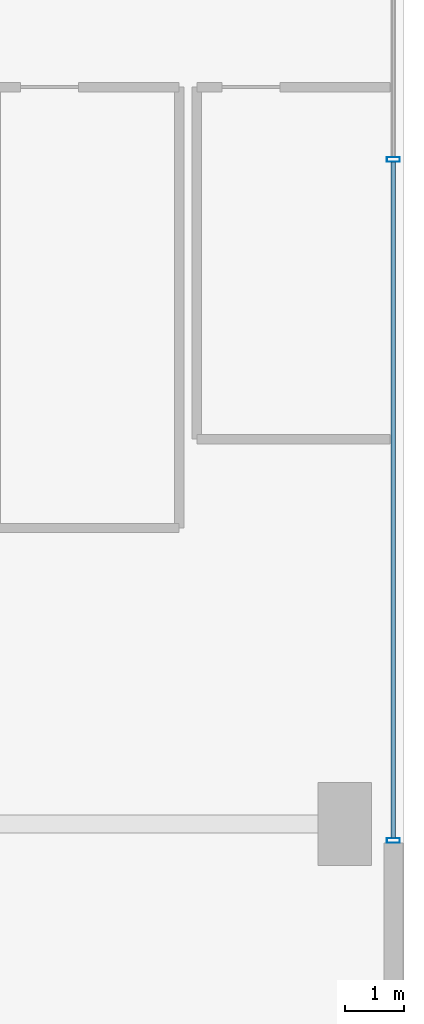
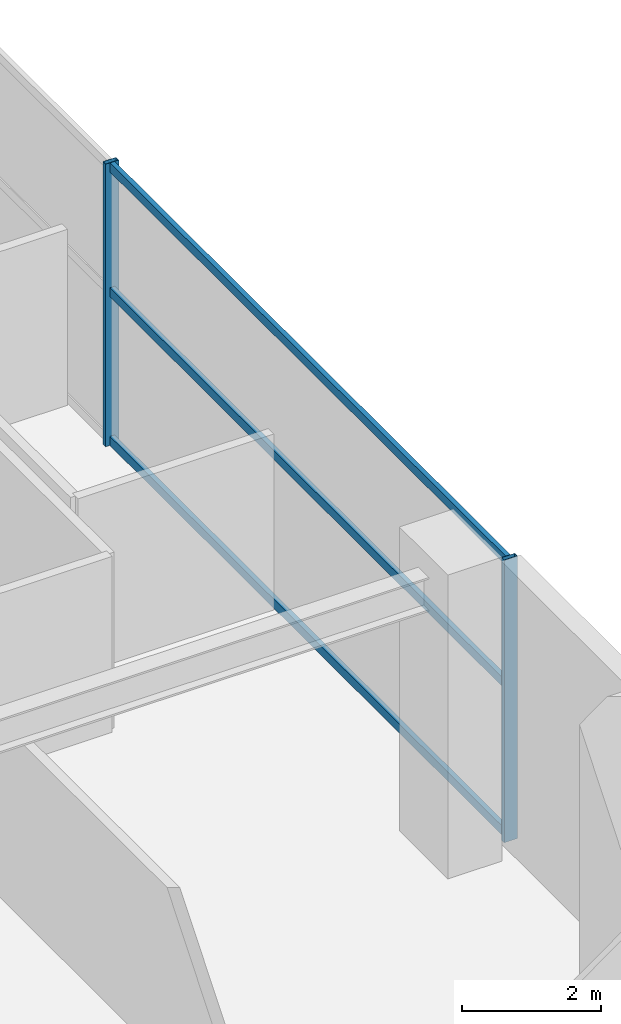
# One storey, part 23 of 35: 5 members, 1 element without a shape of its own.
"""IFC4 building model written with IfcOpenShell, lengths in metres."""

import ifcopenshell
import ifcopenshell.guid

model = None  # the IFC model being written
_history = None  # IfcOwnerHistory: only IFC2X3 demands one
_inside = {}  # id of a spatial element -> (the spatial element, [elements in it])
_under = {}  # id of a project, library or spatial element -> (it, [spatial elements below it])
_declared = {}  # id of a project -> (the project, [libraries it declares])
_typed = {}  # id of a type object -> (the type object, [elements of that type])
_made_of = {}  # id of a material, layer set ... -> (it, [elements and type objects made of it])


def new_model(schema):
    """Start an empty IFC model of exactly this schema.

    Asked for "IFC4X3", IfcOpenShell would pick the latest addendum, in which some entities
    have other attributes; the version numbers below select the first issue.
    IFC2X3 requires an IfcOwnerHistory on every rooted entity: one is made here for all.
    """
    global model, _history
    if schema == "IFC4X3":
        model = ifcopenshell.file(schema_version=(4, 3, 0, 0))
    else:
        model = ifcopenshell.file(schema=schema)
    _inside.clear()
    _under.clear()
    _declared.clear()
    _typed.clear()
    _made_of.clear()
    _history = None
    if model.schema == "IFC2X3":
        org = make("IfcOrganization", Name="unknown")
        user = make(
            "IfcPersonAndOrganization",
            ThePerson=make("IfcPerson", FamilyName="unknown"),
            TheOrganization=org,
        )
        app = make(
            "IfcApplication",
            ApplicationDeveloper=org,
            Version="unknown",
            ApplicationFullName="unknown",
            ApplicationIdentifier="unknown",
        )
        _history = make(
            "IfcOwnerHistory",
            OwningUser=user,
            OwningApplication=app,
            ChangeAction="ADDED",
            CreationDate=0,
        )
    return model


def make(cls, **values):
    """One entity of the class cls with the attributes given. An attribute that is None is left unset."""
    return model.create_entity(
        cls, **{name: value for name, value in values.items() if value is not None}
    )


def rooted(cls, **values):
    """An entity with a GlobalId (a new one), such as an element, a storey or a relation."""
    return make(cls, GlobalId=ifcopenshell.guid.new(), OwnerHistory=_history, **values)


def si_unit(unit_type, name, prefix=None):
    """IfcSIUnit, for example si_unit("LENGTHUNIT", "METRE", prefix="MILLI")."""
    return make("IfcSIUnit", UnitType=unit_type, Prefix=prefix, Name=name)


def assignment(units):
    """IfcUnitAssignment: the units of a project."""
    return None if units is None else make("IfcUnitAssignment", Units=units)


def point(xyz):
    """IfcCartesianPoint."""
    return None if xyz is None else make("IfcCartesianPoint", Coordinates=xyz)


def direction(xyz):
    """IfcDirection."""
    return None if xyz is None else make("IfcDirection", DirectionRatios=xyz)


def frame(location, z_axis=None, x_axis=None):
    """IfcAxis2Placement3D, a coordinate frame: its origin and axes. An axis left out is left unset."""
    return make(
        "IfcAxis2Placement3D",
        Location=point(location),
        Axis=direction(z_axis),
        RefDirection=direction(x_axis),
    )


def frame_2d(location, x_axis=None):
    """IfcAxis2Placement2D, a coordinate frame in the plane: its origin and x axis."""
    return make(
        "IfcAxis2Placement2D", Location=point(location), RefDirection=direction(x_axis)
    )


def origin():
    """The frame at (0, 0, 0) with its axes left unset."""
    return frame((0.0, 0.0, 0.0))


def origin_2d():
    """The frame at (0, 0) in the plane with its x axis left unset."""
    return frame_2d((0.0, 0.0))


def place(relative_to, where):
    """IfcLocalPlacement: puts the frame where relative to a parent placement (None: the world)."""
    return make(
        "IfcLocalPlacement", PlacementRelTo=relative_to, RelativePlacement=where
    )


def context(
    kind, dimensions, precision=None, world=None, true_north=None, identifier=None
):
    """IfcGeometricRepresentationContext, for example the 3D "Model" context."""
    return make(
        "IfcGeometricRepresentationContext",
        ContextIdentifier=identifier,
        ContextType=kind,
        CoordinateSpaceDimension=dimensions,
        Precision=precision,
        WorldCoordinateSystem=world,
        TrueNorth=true_north,
    )


def subcontext(parent, identifier, kind, view, scale=None):
    """IfcGeometricRepresentationSubContext, for example "Body" below "Model"."""
    return make(
        "IfcGeometricRepresentationSubContext",
        ContextIdentifier=identifier,
        ContextType=kind,
        ParentContext=parent,
        TargetScale=scale,
        TargetView=view,
    )


def project(units=None, contexts=None):
    """IfcProject with its units and contexts."""
    return rooted(
        "IfcProject",
        Name="project",
        RepresentationContexts=contexts,
        UnitsInContext=assignment(units),
    )


def spatial(cls, under=None, at=None, **own):
    """A site, building, storey or space (cls), placed at a placement, below another one or the project."""
    s = rooted(cls, ObjectPlacement=at, **own)
    if under is not None:
        _under.setdefault(under.id(), (under, []))[1].append(s)
    return s


def profile(cls, at=None, kind="AREA", **sizes):
    """A parametric profile (cls). Its sizes go by their IFC names, for example OverallWidth=200.0."""
    return make(cls, ProfileType=kind, Position=at, **sizes)


def hollow_rectangle(**sizes):
    """IfcRectangleHollowProfileDef."""
    return profile("IfcRectangleHollowProfileDef", **sizes)


def extrude(swept, where, along, depth):
    """IfcExtrudedAreaSolid: the profile swept, set in the frame where, extruded along a direction by depth."""
    return make(
        "IfcExtrudedAreaSolid",
        SweptArea=swept,
        Position=where,
        ExtrudedDirection=direction(along),
        Depth=depth,
    )


def shape(context_of_items, identifier, shape_type, items):
    """IfcShapeRepresentation: the items that make up one representation, for example the "Body"."""
    return make(
        "IfcShapeRepresentation",
        ContextOfItems=context_of_items,
        RepresentationIdentifier=identifier,
        RepresentationType=shape_type,
        Items=items,
    )


def source(mapping_origin, context_of_items, identifier, shape_type, items):
    """IfcRepresentationMap: a shape defined once, which mapped items show again and again."""
    return make(
        "IfcRepresentationMap",
        MappingOrigin=mapping_origin,
        MappedRepresentation=shape(context_of_items, identifier, shape_type, items),
    )


def transform(
    local_origin,
    x_axis=None,
    y_axis=None,
    z_axis=None,
    scale=None,
    scale2=None,
    scale3=None,
    uniform=True,
):
    """IfcCartesianTransformationOperator3D, or its non-uniform kind. x_axis, y_axis, z_axis: its Axis1, 2, 3."""
    if uniform:
        return make(
            "IfcCartesianTransformationOperator3D",
            Axis1=direction(x_axis),
            Axis2=direction(y_axis),
            LocalOrigin=point(local_origin),
            Scale=scale,
            Axis3=direction(z_axis),
        )
    return make(
        "IfcCartesianTransformationOperator3DnonUniform",
        Axis1=direction(x_axis),
        Axis2=direction(y_axis),
        LocalOrigin=point(local_origin),
        Scale=scale,
        Axis3=direction(z_axis),
        Scale2=scale2,
        Scale3=scale3,
    )


def mapped(mapping_source, mapping_target):
    """IfcMappedItem: shows the shape of a source again, moved by a transform."""
    return make(
        "IfcMappedItem", MappingSource=mapping_source, MappingTarget=mapping_target
    )


def material(Name=None, Category=None):
    """IfcMaterial."""
    return make("IfcMaterial", Name=Name, Category=Category)


def material_profile(
    of_material, cross_section, Name=None, Category=None, Priority=None
):
    """IfcMaterialProfile: a cross section and its material."""
    return make(
        "IfcMaterialProfile",
        Name=Name,
        Material=of_material,
        Profile=cross_section,
        Priority=Priority,
        Category=Category,
    )


def profile_set(profiles, Name=None, composite=None):
    """IfcMaterialProfileSet."""
    return make(
        "IfcMaterialProfileSet",
        Name=Name,
        MaterialProfiles=profiles,
        CompositeProfile=composite,
    )


def made_of(thing, what):
    """Note that an element or type object is made of a material, layer set ...; save() writes the relation."""
    if what is not None:
        _made_of.setdefault(what.id(), (what, []))[1].append(thing)
    return thing


def type_object(cls, material=None, **own):
    """A type object (cls), such as IfcWallType, which elements share."""
    return made_of(rooted(cls, **own), material)


def element(
    cls,
    number,
    at=None,
    inside=None,
    cuts=None,
    type_object=None,
    material=None,
    context=None,
    identifier="Body",
    shape_type=None,
    held_by="IfcProductDefinitionShape",
    body=None,
    shapes=None,
    **own,
):
    """One element of the class cls, such as IfcWall. Its Tag is "e" and its number.

    at: its placement. inside: the storey or other place that contains it. cuts: it is an
    opening in that element (IfcRelVoidsElement). A single representation is given by context,
    identifier, shape_type and body (its items); several are given by shapes. held_by: the class
    of the entity that holds the representations. save() writes the other relations.
    """
    e = rooted(cls, Tag="e%d" % number, ObjectPlacement=at, **own)
    if body is not None:
        shapes = [shape(context, identifier, shape_type, body)]
    if shapes is not None:
        e.Representation = make(held_by, Representations=shapes)
    if inside is not None:
        _inside.setdefault(inside.id(), (inside, []))[1].append(e)
    if cuts is not None:
        rooted(
            "IfcRelVoidsElement", RelatingBuildingElement=cuts, RelatedOpeningElement=e
        )
    if type_object is not None:
        _typed.setdefault(type_object.id(), (type_object, []))[1].append(e)
    return made_of(e, material)


def aggregate(whole, parts):
    """IfcRelAggregates: a whole, such as a stair, and the parts it consists of."""
    return rooted("IfcRelAggregates", RelatingObject=whole, RelatedObjects=parts)


def save(model, path):
    """Write the relations noted so far, then the file.

    IfcRelAggregates (storeys below a building ...), IfcRelContainedInSpatialStructure (elements
    in a storey), IfcRelDefinesByType, IfcRelAssociatesMaterial and IfcRelDeclares: one each for
    every whole, place, type object, material and project.
    """
    for whole, parts in _under.values():
        aggregate(whole, parts)
    for where, things in _inside.values():
        rooted(
            "IfcRelContainedInSpatialStructure",
            RelatedElements=things,
            RelatingStructure=where,
        )
    for kind, things in _typed.values():
        rooted("IfcRelDefinesByType", RelatedObjects=things, RelatingType=kind)
    for what, things in _made_of.values():
        rooted("IfcRelAssociatesMaterial", RelatedObjects=things, RelatingMaterial=what)
    for by, libraries in _declared.values():
        rooted("IfcRelDeclares", RelatingContext=by, RelatedDefinitions=libraries)
    model.write(path)


model = new_model("IFC4")

# Units and contexts
model_context = context("Model", 3, precision=1e-05, world=origin(), true_north=direction((0.0, 1.0)))
body_context = subcontext(model_context, "Body", "Model", "MODEL_VIEW")
ifc_project = project(units=[si_unit("LENGTHUNIT", "METRE"), si_unit("AREAUNIT", "SQUARE_METRE"), si_unit("VOLUMEUNIT", "CUBIC_METRE"), si_unit("PLANEANGLEUNIT", "RADIAN"), si_unit("MASSUNIT", "GRAM", prefix="KILO")], contexts=[model_context])

# Site, building, storey
site_placement = place(None, origin())
site = spatial("IfcSite", under=ifc_project, at=site_placement, CompositionType="ELEMENT")
building_placement = place(site_placement, origin())
building = spatial("IfcBuilding", under=site, at=building_placement, Name="Nahalor Promenade Grand Hotel", CompositionType="ELEMENT")
storey_placement = place(building_placement, frame((0.0, 0.0, 21.60009765625)))
storey = spatial("IfcBuildingStorey", under=building, at=storey_placement, Name="L04", CompositionType="ELEMENT", Elevation=21.60009765625)

# Curtain wall, members
ifc_material = material(Name="Anodised Bronze Aluminium EN AW-6063 T6", Category="aluminium")
curtain_wall_type = type_object("IfcCurtainWallType", Name="CW1 Waterfront Podium Bronze Arcade Curtain Wall", PredefinedType="USERDEFINED", material=ifc_material)
curtain_wall_placement = place(storey_placement, origin())
curtain_wall = element("IfcCurtainWall", 1, at=curtain_wall_placement, inside=storey, type_object=curtain_wall_type, Name="L04 Curtain Wall CW-L04-E", ObjectType="UNITISED_CURTAIN_WALL", PredefinedType="USERDEFINED")
ifc_material_profile_1 = material_profile(ifc_material, hollow_rectangle(XDim=0.08, YDim=0.22, WallThickness=0.005, at=origin_2d()), Name="CWM 80x220x5")
ifc_profile_set_1 = profile_set([ifc_material_profile_1], Name="Anodised Bronze Aluminium EN AW-6063 T6")
member_type_1 = type_object("IfcMemberType", Name="CWM1 Podium Bronze Mullion 80x220", PredefinedType="MULLION", material=ifc_profile_set_1)
shared_shape_1 = source(origin(), body_context, "Body", "SweptSolid", [
    extrude(hollow_rectangle(XDim=0.08, YDim=0.22, WallThickness=0.005, at=origin_2d()), origin(), (0.0, 0.0, 1.0), 4.97998046875),
])
member_1_placement = place(storey_placement, frame((33.820068359375, -17.280029296875, 0.0), z_axis=(0.0, 0.0, 1.0), x_axis=(0.0, 1.0, 0.0)))
member_1 = element("IfcMember", 2, at=member_1_placement, type_object=member_type_1, Name="CW-L04-E Mullion 0", PredefinedType="MULLION", context=body_context, shape_type="MappedRepresentation", body=[
    mapped(shared_shape_1, transform((0.0, 0.0, 0.0), scale=1.0)),
])
member_2_placement = place(storey_placement, frame((33.820068359375, -5.7734375, 0.0), z_axis=(0.0, 0.0, 1.0), x_axis=(0.0, 1.0, 0.0)))
member_2 = element("IfcMember", 3, at=member_2_placement, type_object=member_type_1, Name="CW-L04-E Mullion 1", PredefinedType="MULLION", context=body_context, shape_type="MappedRepresentation", body=[
    mapped(shared_shape_1, transform((0.0, 0.0, 0.0), scale=1.0)),
])
ifc_material_profile_2 = material_profile(ifc_material, hollow_rectangle(XDim=0.08, YDim=0.16, WallThickness=0.004, at=origin_2d()), Name="CWT 80x160x4")
ifc_profile_set_2 = profile_set([ifc_material_profile_2], Name="Anodised Bronze Aluminium EN AW-6063 T6")
member_type_2 = type_object("IfcMemberType", Name="CWT1 Podium Bronze Transom 80x160", PredefinedType="USERDEFINED", material=ifc_profile_set_2)
shared_shape_2 = source(origin(), body_context, "Body", "SweptSolid", [
    extrude(hollow_rectangle(XDim=0.08, YDim=0.16, WallThickness=0.004, at=origin_2d()), origin(), (0.0, 0.0, 1.0), 11.4267578125),
])
member_3_placement = place(storey_placement, frame((33.820068359375, -17.239990234375, 0.079833984375), z_axis=(0.0, 1.0, 0.0), x_axis=(-1.0, 0.0, 0.0)))
member_3 = element("IfcMember", 4, at=member_3_placement, type_object=member_type_2, Name="CW-L04-E Transom 0-0", ObjectType="TRANSOM", PredefinedType="USERDEFINED", context=body_context, shape_type="MappedRepresentation", body=[
    mapped(shared_shape_2, transform((0.0, 0.0, 0.0), scale=1.0)),
])
member_4_placement = place(storey_placement, frame((33.820068359375, -17.239990234375, 2.699951171875), z_axis=(0.0, 1.0, 0.0), x_axis=(-1.0, 0.0, 0.0)))
member_4 = element("IfcMember", 5, at=member_4_placement, type_object=member_type_2, Name="CW-L04-E Transom 0-1", ObjectType="TRANSOM", PredefinedType="USERDEFINED", context=body_context, shape_type="MappedRepresentation", body=[
    mapped(shared_shape_2, transform((0.0, 0.0, 0.0), scale=1.0)),
])
member_5_placement = place(storey_placement, frame((33.820068359375, -17.239990234375, 4.89990234375), z_axis=(0.0, 1.0, 0.0), x_axis=(-1.0, 0.0, 0.0)))
member_5 = element("IfcMember", 6, at=member_5_placement, type_object=member_type_2, Name="CW-L04-E Transom 0-2", ObjectType="TRANSOM", PredefinedType="USERDEFINED", context=body_context, shape_type="MappedRepresentation", body=[
    mapped(shared_shape_2, transform((0.0, 0.0, 0.0), scale=1.0)),
])
aggregate(curtain_wall, [member_1, member_2, member_3, member_4, member_5])

save(model, "model.ifc")
